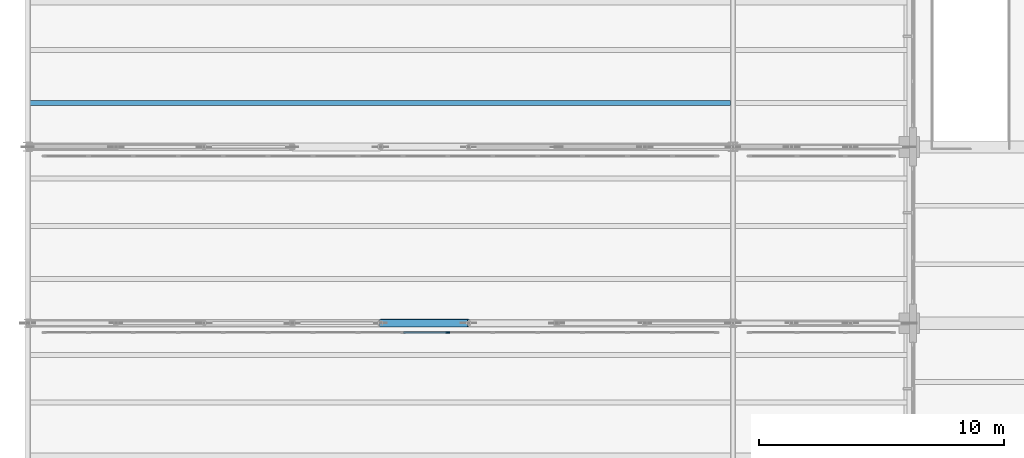
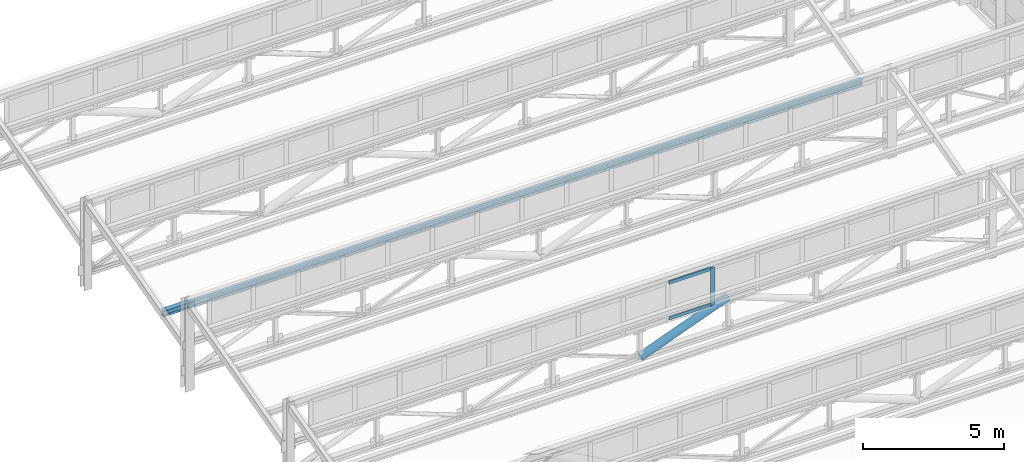
# One storey, part 20 of 98: 4 members, 1 beam, 1 element without a shape of its own.
"""IFC4 building model written with IfcOpenShell, lengths in metres."""

import ifcopenshell
import ifcopenshell.guid

model = None  # the IFC model being written
_history = None  # IfcOwnerHistory: only IFC2X3 demands one
_inside = {}  # id of a spatial element -> (the spatial element, [elements in it])
_under = {}  # id of a project, library or spatial element -> (it, [spatial elements below it])
_declared = {}  # id of a project -> (the project, [libraries it declares])
_typed = {}  # id of a type object -> (the type object, [elements of that type])
_made_of = {}  # id of a material, layer set ... -> (it, [elements and type objects made of it])


def new_model(schema):
    """Start an empty IFC model of exactly this schema.

    Asked for "IFC4X3", IfcOpenShell would pick the latest addendum, in which some entities
    have other attributes; the version numbers below select the first issue.
    IFC2X3 requires an IfcOwnerHistory on every rooted entity: one is made here for all.
    """
    global model, _history
    if schema == "IFC4X3":
        model = ifcopenshell.file(schema_version=(4, 3, 0, 0))
    else:
        model = ifcopenshell.file(schema=schema)
    _inside.clear()
    _under.clear()
    _declared.clear()
    _typed.clear()
    _made_of.clear()
    _history = None
    if model.schema == "IFC2X3":
        org = make("IfcOrganization", Name="unknown")
        user = make(
            "IfcPersonAndOrganization",
            ThePerson=make("IfcPerson", FamilyName="unknown"),
            TheOrganization=org,
        )
        app = make(
            "IfcApplication",
            ApplicationDeveloper=org,
            Version="unknown",
            ApplicationFullName="unknown",
            ApplicationIdentifier="unknown",
        )
        _history = make(
            "IfcOwnerHistory",
            OwningUser=user,
            OwningApplication=app,
            ChangeAction="ADDED",
            CreationDate=0,
        )
    return model


def make(cls, **values):
    """One entity of the class cls with the attributes given. An attribute that is None is left unset."""
    return model.create_entity(
        cls, **{name: value for name, value in values.items() if value is not None}
    )


def rooted(cls, **values):
    """An entity with a GlobalId (a new one), such as an element, a storey or a relation."""
    return make(cls, GlobalId=ifcopenshell.guid.new(), OwnerHistory=_history, **values)


def si_unit(unit_type, name, prefix=None):
    """IfcSIUnit, for example si_unit("LENGTHUNIT", "METRE", prefix="MILLI")."""
    return make("IfcSIUnit", UnitType=unit_type, Prefix=prefix, Name=name)


def assignment(units):
    """IfcUnitAssignment: the units of a project."""
    return None if units is None else make("IfcUnitAssignment", Units=units)


def point(xyz):
    """IfcCartesianPoint."""
    return None if xyz is None else make("IfcCartesianPoint", Coordinates=xyz)


def direction(xyz):
    """IfcDirection."""
    return None if xyz is None else make("IfcDirection", DirectionRatios=xyz)


def frame(location, z_axis=None, x_axis=None):
    """IfcAxis2Placement3D, a coordinate frame: its origin and axes. An axis left out is left unset."""
    return make(
        "IfcAxis2Placement3D",
        Location=point(location),
        Axis=direction(z_axis),
        RefDirection=direction(x_axis),
    )


def frame_2d(location, x_axis=None):
    """IfcAxis2Placement2D, a coordinate frame in the plane: its origin and x axis."""
    return make(
        "IfcAxis2Placement2D", Location=point(location), RefDirection=direction(x_axis)
    )


def origin():
    """The frame at (0, 0, 0) with its axes left unset."""
    return frame((0.0, 0.0, 0.0))


def origin_2d():
    """The frame at (0, 0) in the plane with its x axis left unset."""
    return frame_2d((0.0, 0.0))


def place(relative_to, where):
    """IfcLocalPlacement: puts the frame where relative to a parent placement (None: the world)."""
    return make(
        "IfcLocalPlacement", PlacementRelTo=relative_to, RelativePlacement=where
    )


def context(
    kind, dimensions, precision=None, world=None, true_north=None, identifier=None
):
    """IfcGeometricRepresentationContext, for example the 3D "Model" context."""
    return make(
        "IfcGeometricRepresentationContext",
        ContextIdentifier=identifier,
        ContextType=kind,
        CoordinateSpaceDimension=dimensions,
        Precision=precision,
        WorldCoordinateSystem=world,
        TrueNorth=true_north,
    )


def subcontext(parent, identifier, kind, view, scale=None):
    """IfcGeometricRepresentationSubContext, for example "Body" below "Model"."""
    return make(
        "IfcGeometricRepresentationSubContext",
        ContextIdentifier=identifier,
        ContextType=kind,
        ParentContext=parent,
        TargetScale=scale,
        TargetView=view,
    )


def project(units=None, contexts=None):
    """IfcProject with its units and contexts."""
    return rooted(
        "IfcProject",
        Name="project",
        RepresentationContexts=contexts,
        UnitsInContext=assignment(units),
    )


def spatial(cls, under=None, at=None, **own):
    """A site, building, storey or space (cls), placed at a placement, below another one or the project."""
    s = rooted(cls, ObjectPlacement=at, **own)
    if under is not None:
        _under.setdefault(under.id(), (under, []))[1].append(s)
    return s


def profile(cls, at=None, kind="AREA", **sizes):
    """A parametric profile (cls). Its sizes go by their IFC names, for example OverallWidth=200.0."""
    return make(cls, ProfileType=kind, Position=at, **sizes)


def rectangle(**sizes):
    """IfcRectangleProfileDef."""
    return profile("IfcRectangleProfileDef", **sizes)


def hollow_circle(**sizes):
    """IfcCircleHollowProfileDef."""
    return profile("IfcCircleHollowProfileDef", **sizes)


def i_section(**sizes):
    """IfcIShapeProfileDef."""
    return profile("IfcIShapeProfileDef", **sizes)


def extrude(swept, where, along, depth):
    """IfcExtrudedAreaSolid: the profile swept, set in the frame where, extruded along a direction by depth."""
    return make(
        "IfcExtrudedAreaSolid",
        SweptArea=swept,
        Position=where,
        ExtrudedDirection=direction(along),
        Depth=depth,
    )


def shape(context_of_items, identifier, shape_type, items):
    """IfcShapeRepresentation: the items that make up one representation, for example the "Body"."""
    return make(
        "IfcShapeRepresentation",
        ContextOfItems=context_of_items,
        RepresentationIdentifier=identifier,
        RepresentationType=shape_type,
        Items=items,
    )


def material(Name=None, Category=None):
    """IfcMaterial."""
    return make("IfcMaterial", Name=Name, Category=Category)


def layer(
    of_material, thickness, ventilated=None, Name=None, Category=None, Priority=None
):
    """IfcMaterialLayer: one layer of a wall or slab, of a material (None: an air gap)."""
    return make(
        "IfcMaterialLayer",
        Material=of_material,
        LayerThickness=thickness,
        IsVentilated=ventilated,
        Name=Name,
        Category=Category,
        Priority=Priority,
    )


def layer_set(layers, Name=None):
    """IfcMaterialLayerSet."""
    return make("IfcMaterialLayerSet", MaterialLayers=layers, LayerSetName=Name)


def material_profile(
    of_material, cross_section, Name=None, Category=None, Priority=None
):
    """IfcMaterialProfile: a cross section and its material."""
    return make(
        "IfcMaterialProfile",
        Name=Name,
        Material=of_material,
        Profile=cross_section,
        Priority=Priority,
        Category=Category,
    )


def profile_set(profiles, Name=None, composite=None):
    """IfcMaterialProfileSet."""
    return make(
        "IfcMaterialProfileSet",
        Name=Name,
        MaterialProfiles=profiles,
        CompositeProfile=composite,
    )


def made_of(thing, what):
    """Note that an element or type object is made of a material, layer set ...; save() writes the relation."""
    if what is not None:
        _made_of.setdefault(what.id(), (what, []))[1].append(thing)
    return thing


def type_object(cls, material=None, **own):
    """A type object (cls), such as IfcWallType, which elements share."""
    return made_of(rooted(cls, **own), material)


def element(
    cls,
    number,
    at=None,
    inside=None,
    cuts=None,
    type_object=None,
    material=None,
    context=None,
    identifier="Body",
    shape_type=None,
    held_by="IfcProductDefinitionShape",
    body=None,
    shapes=None,
    **own,
):
    """One element of the class cls, such as IfcWall. Its Tag is "e" and its number.

    at: its placement. inside: the storey or other place that contains it. cuts: it is an
    opening in that element (IfcRelVoidsElement). A single representation is given by context,
    identifier, shape_type and body (its items); several are given by shapes. held_by: the class
    of the entity that holds the representations. save() writes the other relations.
    """
    e = rooted(cls, Tag="e%d" % number, ObjectPlacement=at, **own)
    if body is not None:
        shapes = [shape(context, identifier, shape_type, body)]
    if shapes is not None:
        e.Representation = make(held_by, Representations=shapes)
    if inside is not None:
        _inside.setdefault(inside.id(), (inside, []))[1].append(e)
    if cuts is not None:
        rooted(
            "IfcRelVoidsElement", RelatingBuildingElement=cuts, RelatedOpeningElement=e
        )
    if type_object is not None:
        _typed.setdefault(type_object.id(), (type_object, []))[1].append(e)
    return made_of(e, material)


def aggregate(whole, parts):
    """IfcRelAggregates: a whole, such as a stair, and the parts it consists of."""
    return rooted("IfcRelAggregates", RelatingObject=whole, RelatedObjects=parts)


def save(model, path):
    """Write the relations noted so far, then the file.

    IfcRelAggregates (storeys below a building ...), IfcRelContainedInSpatialStructure (elements
    in a storey), IfcRelDefinesByType, IfcRelAssociatesMaterial and IfcRelDeclares: one each for
    every whole, place, type object, material and project.
    """
    for whole, parts in _under.values():
        aggregate(whole, parts)
    for where, things in _inside.values():
        rooted(
            "IfcRelContainedInSpatialStructure",
            RelatedElements=things,
            RelatingStructure=where,
        )
    for kind, things in _typed.values():
        rooted("IfcRelDefinesByType", RelatedObjects=things, RelatingType=kind)
    for what, things in _made_of.values():
        rooted("IfcRelAssociatesMaterial", RelatedObjects=things, RelatingMaterial=what)
    for by, libraries in _declared.values():
        rooted("IfcRelDeclares", RelatingContext=by, RelatedDefinitions=libraries)
    model.write(path)


model = new_model("IFC4")

# Units and contexts
model_context = context("Model", 3, precision=1e-05, world=origin(), true_north=direction((0.0, 1.0)))
body_context = subcontext(model_context, "Body", "Model", "MODEL_VIEW")
ifc_project = project(units=[si_unit("LENGTHUNIT", "METRE"), si_unit("AREAUNIT", "SQUARE_METRE"), si_unit("VOLUMEUNIT", "CUBIC_METRE"), si_unit("PLANEANGLEUNIT", "RADIAN"), si_unit("MASSUNIT", "GRAM", prefix="KILO")], contexts=[model_context])

# Site, building, storey
site_placement = place(None, origin())
site = spatial("IfcSite", under=ifc_project, at=site_placement, CompositionType="ELEMENT")
building_placement = place(site_placement, origin())
building = spatial("IfcBuilding", under=site, at=building_placement, Name="Solenvale Faculty of Natural Sciences", CompositionType="ELEMENT")
storey_placement = place(building_placement, frame((0.0, 0.0, 9.0)))
storey = spatial("IfcBuildingStorey", under=building, at=storey_placement, Name="L02", CompositionType="ELEMENT", Elevation=9.0)

# Beam
ifc_material_1 = material(Name="Steel S355", Category="steel")
ifc_material_profile_1 = material_profile(ifc_material_1, i_section(OverallWidth=0.202880859375, OverallDepth=0.251953125, WebThickness=0.008056640625, FlangeThickness=0.013427734375, FilletRadius=0.012939453125, at=origin_2d()), Name="W250x58")
ifc_profile_set_1 = profile_set([ifc_material_profile_1], Name="Steel S355")
beam_type = type_object("IfcBeamType", Name="BM-PRL-W250x58", PredefinedType="JOIST", material=ifc_profile_set_1)
beam_placement = place(storey_placement, frame((0.0, 30.60009765625, 2.17919921875), z_axis=(1.0, 0.0, 0.0), x_axis=(0.0, 1.0, 0.0)))
element("IfcBeam", 1, at=beam_placement, inside=storey, type_object=beam_type, Name="V1 Sawtooth Purlin 5.1.1", PredefinedType="JOIST", context=body_context, shape_type="SweptSolid", body=[
    extrude(i_section(OverallWidth=0.202880859375, OverallDepth=0.251953125, WebThickness=0.008056640625, FlangeThickness=0.013427734375, FilletRadius=0.012939453125, at=origin_2d()), origin(), (0.0, 0.0, 1.0), 28.7041015625),
])

# Curtain wall, members
ifc_material_2 = material(Name="Anodised bronze aluminium", Category="aluminium")
ifc_layer = layer(ifc_material_2, 0.1650390625)
ifc_layer_set = layer_set([ifc_layer], Name="Anodised bronze aluminium")
curtain_wall_type = type_object("IfcCurtainWallType", Name="CW-SAW-CLR", PredefinedType="USERDEFINED", material=ifc_layer_set)
curtain_wall_placement = place(storey_placement, origin())
curtain_wall = element("IfcCurtainWall", 2, at=curtain_wall_placement, inside=storey, type_object=curtain_wall_type, Name="L02 Curtain Wall SAW-V1-CW-3-1", ObjectType="NORTH LIGHT CLERESTORY", PredefinedType="USERDEFINED")
ifc_material_profile_2 = material_profile(ifc_material_2, rectangle(XDim=0.06494140625, YDim=0.175048828125, at=origin_2d()), Name="ALU-MUL-65x175")
ifc_profile_set_2 = profile_set([ifc_material_profile_2], Name="Anodised bronze aluminium")
member_type_1 = type_object("IfcMemberType", Name="CWM-ALU-65x175", PredefinedType="MULLION", material=ifc_profile_set_2)
member_1_placement = place(storey_placement, frame((17.152099609375, 21.219970703125, 2.22998046875), z_axis=(0.0, 0.0, 1.0), x_axis=(0.0, -1.0, 0.0)))
member_1 = element("IfcMember", 3, at=member_1_placement, type_object=member_type_1, Name="CW-05 mullion 7", PredefinedType="MULLION", context=body_context, shape_type="SweptSolid", body=[
    extrude(rectangle(XDim=0.06494140625, YDim=0.175048828125, at=origin_2d()), origin(), (0.0, 0.0, 1.0), 1.610107421875),
])
ifc_material_profile_3 = material_profile(ifc_material_2, rectangle(XDim=0.06494140625, YDim=0.135009765625, at=origin_2d()), Name="ALU-TRN-65x135")
ifc_profile_set_3 = profile_set([ifc_material_profile_3], Name="Anodised bronze aluminium")
member_type_2 = type_object("IfcMemberType", Name="CWT-ALU-65x135", PredefinedType="USERDEFINED", material=ifc_profile_set_3)
member_2_placement = place(storey_placement, frame((17.119384765625, 21.219970703125, 2.262451171875), z_axis=(-1.0, 0.0, 0.0), x_axis=(0.0, -1.0, 0.0)))
member_2 = element("IfcMember", 4, at=member_2_placement, type_object=member_type_2, Name="CW-05 transom 7.1", ObjectType="TRANSOM", PredefinedType="USERDEFINED", context=body_context, shape_type="SweptSolid", body=[
    extrude(rectangle(XDim=0.06494140625, YDim=0.135009765625, at=origin_2d()), origin(), (0.0, 0.0, 1.0), 1.76953125),
])
member_3_placement = place(storey_placement, frame((17.119384765625, 21.219970703125, 3.8076171875), z_axis=(-1.0, 0.0, 0.0), x_axis=(0.0, -1.0, 0.0)))
member_3 = element("IfcMember", 5, at=member_3_placement, type_object=member_type_2, Name="CW-05 transom 7.2", ObjectType="TRANSOM", PredefinedType="USERDEFINED", context=body_context, shape_type="SweptSolid", body=[
    extrude(rectangle(XDim=0.06494140625, YDim=0.135009765625, at=origin_2d()), origin(), (0.0, 0.0, 1.0), 1.76953125),
])
aggregate(curtain_wall, [member_1, member_2, member_3])

# Member
ifc_material_profile_4 = material_profile(ifc_material_1, hollow_circle(Radius=0.161865234375, WallThickness=0.0126953125, at=origin_2d()), Name="HSS324x13")
ifc_profile_set_4 = profile_set([ifc_material_profile_4], Name="Steel S355")
member_type_3 = type_object("IfcMemberType", Name="MB-BRC-CHS324", PredefinedType="BRACE", material=ifc_profile_set_4)
member_4_placement = place(storey_placement, frame((14.39990234375, 21.60009765625, 0.68994140625), z_axis=(0.935466034784, 0.0, 0.353416606522), x_axis=(0.0, 1.0, 0.0)))
element("IfcMember", 6, at=member_4_placement, inside=storey, type_object=member_type_3, Name="V1 Truss 3.1 Diagonal 5", PredefinedType="BRACE", context=body_context, shape_type="SweptSolid", body=[
    extrude(hollow_circle(Radius=0.161865234375, WallThickness=0.0126953125, at=origin_2d()), origin(), (0.0, 0.0, 1.0), 3.848388671875),
])

save(model, "model.ifc")
